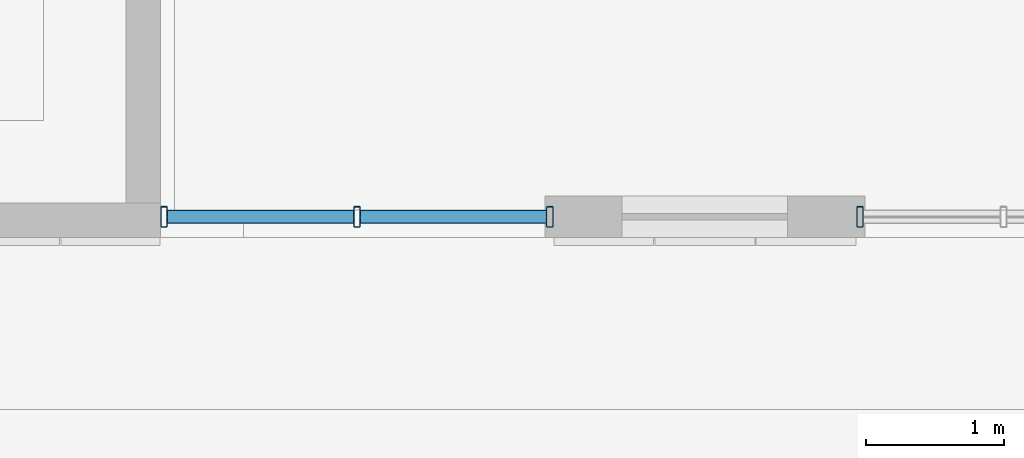
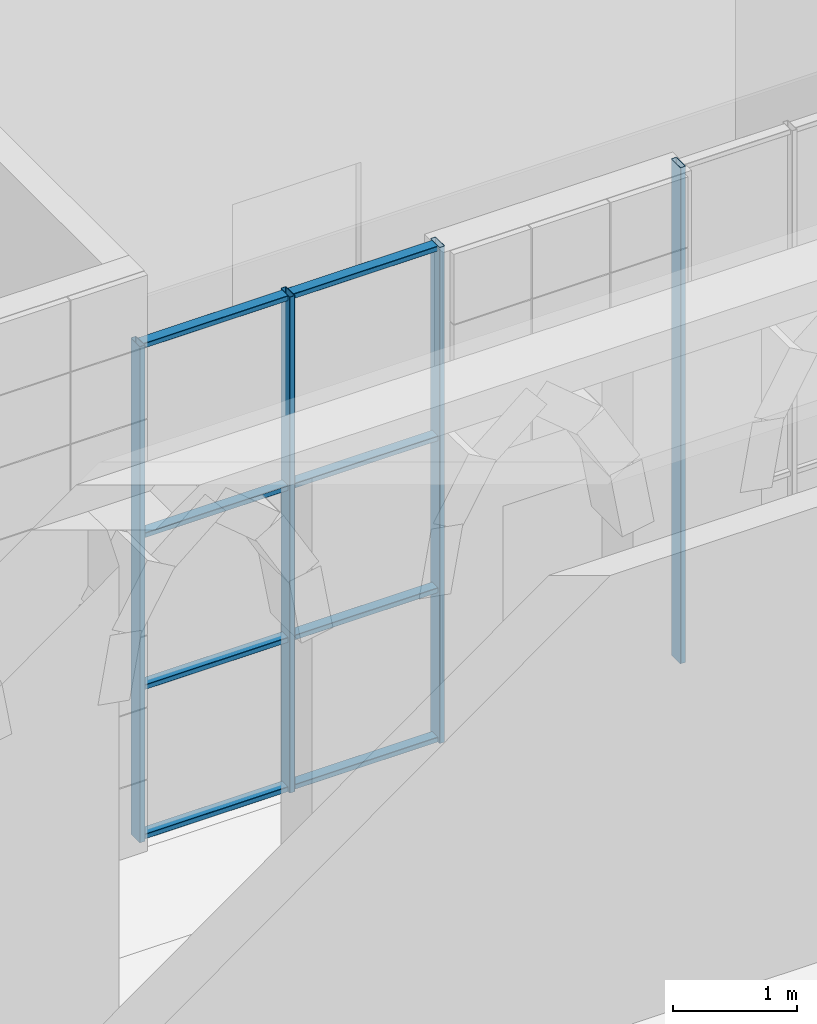
# One storey, part 18 of 125: 12 members, 2 elements without a shape of their own.
"""IFC4 building model written with IfcOpenShell, lengths in metres."""

from ifc_helpers import new_model, si_unit, direction, frame, origin, origin_2d, place, context, subcontext, project, spatial, hollow_rectangle, extrude, material, material_profile, profile_set, type_object, element, aggregate, save


model = new_model("IFC4")

# Units and contexts
model_context = context("Model", 3, precision=1e-05, world=origin(), true_north=direction((0.0, 1.0)))
body_context = subcontext(model_context, "Body", "Model", "MODEL_VIEW")
ifc_project = project(units=[si_unit("LENGTHUNIT", "METRE"), si_unit("AREAUNIT", "SQUARE_METRE"), si_unit("VOLUMEUNIT", "CUBIC_METRE"), si_unit("PLANEANGLEUNIT", "RADIAN"), si_unit("MASSUNIT", "GRAM", prefix="KILO")], contexts=[model_context])

# Site, building, storey
site_placement = place(None, origin())
site = spatial("IfcSite", under=ifc_project, at=site_placement, CompositionType="ELEMENT")
building_placement = place(site_placement, origin())
building = spatial("IfcBuilding", under=site, at=building_placement, Name="Sun Court Science Centre", CompositionType="ELEMENT")
storey_placement = place(building_placement, origin())
storey = spatial("IfcBuildingStorey", under=building, at=storey_placement, Name="L00", CompositionType="ELEMENT", Elevation=0.0)

# Curtain wall, member
ifc_material_1 = material(Name="Aluminium EN AW-6063 T6", Category="aluminium")
curtain_wall_type = type_object("IfcCurtainWallType", Name="Pavilion curtain wall 1200", PredefinedType="NOTDEFINED", material=ifc_material_1)
curtain_wall_1_placement = place(storey_placement, origin())
curtain_wall_1 = element("IfcCurtainWall", 1, at=curtain_wall_1_placement, inside=storey, type_object=curtain_wall_type, Name="Curtain wall V5 S L00 03", PredefinedType="NOTDEFINED")
ifc_material_2 = material(Name="Aluminium EN AW-6063 T6", Category="aluminium")
ifc_material_profile_1 = material_profile(ifc_material_2, hollow_rectangle(XDim=0.050048828125, YDim=0.14990234375, WallThickness=0.00390625, InnerFilletRadius=0.00390625, OuterFilletRadius=0.006103515625, at=origin_2d()), Name="AL 50x150x4")
ifc_profile_set_1 = profile_set([ifc_material_profile_1], Name="Aluminium EN AW-6063 T6")
member_type_1 = type_object("IfcMemberType", Name="Curtain wall mullion AL 50x150", PredefinedType="MULLION", material=ifc_profile_set_1)
member_1_placement = place(storey_placement, frame((47.625, 36.14990234375, 0.0), z_axis=(0.0, 0.0, 1.0), x_axis=(-1.0, 0.0, 0.0)))
member_1 = element("IfcMember", 2, at=member_1_placement, type_object=member_type_1, Name="CW3-03 mullion 4", PredefinedType="MULLION", context=body_context, shape_type="SweptSolid", body=[
    extrude(hollow_rectangle(XDim=0.050048828125, YDim=0.14990234375, WallThickness=0.00390625, InnerFilletRadius=0.00390625, OuterFilletRadius=0.006103515625, at=origin_2d()), origin(), (0.0, 0.0, 1.0), 4.89990234375),
])
aggregate(curtain_wall_1, [member_1])

# Curtain wall, members
curtain_wall_2_placement = place(storey_placement, origin())
curtain_wall_2 = element("IfcCurtainWall", 3, at=curtain_wall_2_placement, inside=storey, type_object=curtain_wall_type, Name="Curtain wall V5 S L00 04", PredefinedType="NOTDEFINED")
member_2_placement = place(storey_placement, frame((42.574951171875, 36.14990234375, 0.0), z_axis=(0.0, 0.0, 1.0), x_axis=(-1.0, 0.0, 0.0)))
member_2 = element("IfcMember", 4, at=member_2_placement, type_object=member_type_1, Name="CW3-04 mullion 3", PredefinedType="MULLION", context=body_context, shape_type="SweptSolid", body=[
    extrude(hollow_rectangle(XDim=0.050048828125, YDim=0.14990234375, WallThickness=0.00390625, InnerFilletRadius=0.00390625, OuterFilletRadius=0.006103515625, at=origin_2d()), origin(), (0.0, 0.0, 1.0), 4.89990234375),
])
member_3_placement = place(storey_placement, frame((43.97509765625, 36.14990234375, 0.0), z_axis=(0.0, 0.0, 1.0), x_axis=(-1.0, 0.0, 0.0)))
member_3 = element("IfcMember", 5, at=member_3_placement, type_object=member_type_1, Name="CW3-04 mullion 2", PredefinedType="MULLION", context=body_context, shape_type="SweptSolid", body=[
    extrude(hollow_rectangle(XDim=0.050048828125, YDim=0.14990234375, WallThickness=0.00390625, InnerFilletRadius=0.00390625, OuterFilletRadius=0.006103515625, at=origin_2d()), origin(), (0.0, 0.0, 1.0), 4.89990234375),
])
member_4_placement = place(storey_placement, frame((45.375, 36.14990234375, 0.0), z_axis=(0.0, 0.0, 1.0), x_axis=(-1.0, 0.0, 0.0)))
member_4 = element("IfcMember", 6, at=member_4_placement, type_object=member_type_1, Name="CW3-04 mullion 1", PredefinedType="MULLION", context=body_context, shape_type="SweptSolid", body=[
    extrude(hollow_rectangle(XDim=0.050048828125, YDim=0.14990234375, WallThickness=0.00390625, InnerFilletRadius=0.00390625, OuterFilletRadius=0.006103515625, at=origin_2d()), origin(), (0.0, 0.0, 1.0), 4.89990234375),
])
ifc_material_3 = material(Name="Aluminium EN AW-6063 T6", Category="aluminium")
ifc_material_profile_2 = material_profile(ifc_material_3, hollow_rectangle(XDim=0.050048828125, YDim=0.10009765625, WallThickness=0.00390625, InnerFilletRadius=0.00390625, OuterFilletRadius=0.006103515625, at=origin_2d()), Name="AL 50x100x4")
ifc_profile_set_2 = profile_set([ifc_material_profile_2], Name="Aluminium EN AW-6063 T6")
member_type_2 = type_object("IfcMemberType", Name="Curtain wall transom AL 50x100", PredefinedType="USERDEFINED", material=ifc_profile_set_2)
member_5_placement = place(storey_placement, frame((43.949951171875, 36.14990234375, 0.02490234375), z_axis=(-1.0, 0.0, 0.0), x_axis=(0.0, 0.0, 1.0)))
member_5 = element("IfcMember", 7, at=member_5_placement, type_object=member_type_2, Name="CW3-04 transom 2.1", ObjectType="TRANSOM", PredefinedType="USERDEFINED", context=body_context, shape_type="SweptSolid", body=[
    extrude(hollow_rectangle(XDim=0.050048828125, YDim=0.10009765625, WallThickness=0.00390625, InnerFilletRadius=0.00390625, OuterFilletRadius=0.006103515625, at=origin_2d()), origin(), (0.0, 0.0, 1.0), 1.349853515625),
])
member_6_placement = place(storey_placement, frame((45.35009765625, 36.14990234375, 0.02490234375), z_axis=(-1.0, 0.0, 0.0), x_axis=(0.0, 0.0, 1.0)))
member_6 = element("IfcMember", 8, at=member_6_placement, type_object=member_type_2, Name="CW3-04 transom 1.1", ObjectType="TRANSOM", PredefinedType="USERDEFINED", context=body_context, shape_type="SweptSolid", body=[
    extrude(hollow_rectangle(XDim=0.050048828125, YDim=0.10009765625, WallThickness=0.00390625, InnerFilletRadius=0.00390625, OuterFilletRadius=0.006103515625, at=origin_2d()), origin(), (0.0, 0.0, 1.0), 1.35009765625),
])
member_7_placement = place(storey_placement, frame((43.949951171875, 36.14990234375, 1.5), z_axis=(-1.0, 0.0, 0.0), x_axis=(0.0, 0.0, 1.0)))
member_7 = element("IfcMember", 9, at=member_7_placement, type_object=member_type_2, Name="CW3-04 transom 2.2", ObjectType="TRANSOM", PredefinedType="USERDEFINED", context=body_context, shape_type="SweptSolid", body=[
    extrude(hollow_rectangle(XDim=0.050048828125, YDim=0.10009765625, WallThickness=0.00390625, InnerFilletRadius=0.00390625, OuterFilletRadius=0.006103515625, at=origin_2d()), origin(), (0.0, 0.0, 1.0), 1.349853515625),
])
member_8_placement = place(storey_placement, frame((45.35009765625, 36.14990234375, 1.5), z_axis=(-1.0, 0.0, 0.0), x_axis=(0.0, 0.0, 1.0)))
member_8 = element("IfcMember", 10, at=member_8_placement, type_object=member_type_2, Name="CW3-04 transom 1.2", ObjectType="TRANSOM", PredefinedType="USERDEFINED", context=body_context, shape_type="SweptSolid", body=[
    extrude(hollow_rectangle(XDim=0.050048828125, YDim=0.10009765625, WallThickness=0.00390625, InnerFilletRadius=0.00390625, OuterFilletRadius=0.006103515625, at=origin_2d()), origin(), (0.0, 0.0, 1.0), 1.35009765625),
])
member_9_placement = place(storey_placement, frame((43.949951171875, 36.14990234375, 3.0), z_axis=(-1.0, 0.0, 0.0), x_axis=(0.0, 0.0, 1.0)))
member_9 = element("IfcMember", 11, at=member_9_placement, type_object=member_type_2, Name="CW3-04 transom 2.3", ObjectType="TRANSOM", PredefinedType="USERDEFINED", context=body_context, shape_type="SweptSolid", body=[
    extrude(hollow_rectangle(XDim=0.050048828125, YDim=0.10009765625, WallThickness=0.00390625, InnerFilletRadius=0.00390625, OuterFilletRadius=0.006103515625, at=origin_2d()), origin(), (0.0, 0.0, 1.0), 1.349853515625),
])
member_10_placement = place(storey_placement, frame((45.35009765625, 36.14990234375, 3.0), z_axis=(-1.0, 0.0, 0.0), x_axis=(0.0, 0.0, 1.0)))
member_10 = element("IfcMember", 12, at=member_10_placement, type_object=member_type_2, Name="CW3-04 transom 1.3", ObjectType="TRANSOM", PredefinedType="USERDEFINED", context=body_context, shape_type="SweptSolid", body=[
    extrude(hollow_rectangle(XDim=0.050048828125, YDim=0.10009765625, WallThickness=0.00390625, InnerFilletRadius=0.00390625, OuterFilletRadius=0.006103515625, at=origin_2d()), origin(), (0.0, 0.0, 1.0), 1.35009765625),
])
member_11_placement = place(storey_placement, frame((43.949951171875, 36.14990234375, 4.875), z_axis=(-1.0, 0.0, 0.0), x_axis=(0.0, 0.0, 1.0)))
member_11 = element("IfcMember", 13, at=member_11_placement, type_object=member_type_2, Name="CW3-04 transom 2.4", ObjectType="TRANSOM", PredefinedType="USERDEFINED", context=body_context, shape_type="SweptSolid", body=[
    extrude(hollow_rectangle(XDim=0.050048828125, YDim=0.10009765625, WallThickness=0.00390625, InnerFilletRadius=0.00390625, OuterFilletRadius=0.006103515625, at=origin_2d()), origin(), (0.0, 0.0, 1.0), 1.349853515625),
])
member_12_placement = place(storey_placement, frame((45.35009765625, 36.14990234375, 4.875), z_axis=(-1.0, 0.0, 0.0), x_axis=(0.0, 0.0, 1.0)))
member_12 = element("IfcMember", 14, at=member_12_placement, type_object=member_type_2, Name="CW3-04 transom 1.4", ObjectType="TRANSOM", PredefinedType="USERDEFINED", context=body_context, shape_type="SweptSolid", body=[
    extrude(hollow_rectangle(XDim=0.050048828125, YDim=0.10009765625, WallThickness=0.00390625, InnerFilletRadius=0.00390625, OuterFilletRadius=0.006103515625, at=origin_2d()), origin(), (0.0, 0.0, 1.0), 1.35009765625),
])
aggregate(curtain_wall_2, [member_2, member_3, member_4, member_5, member_6, member_7, member_8, member_9, member_10, member_11, member_12])

save(model, "model.ifc")
